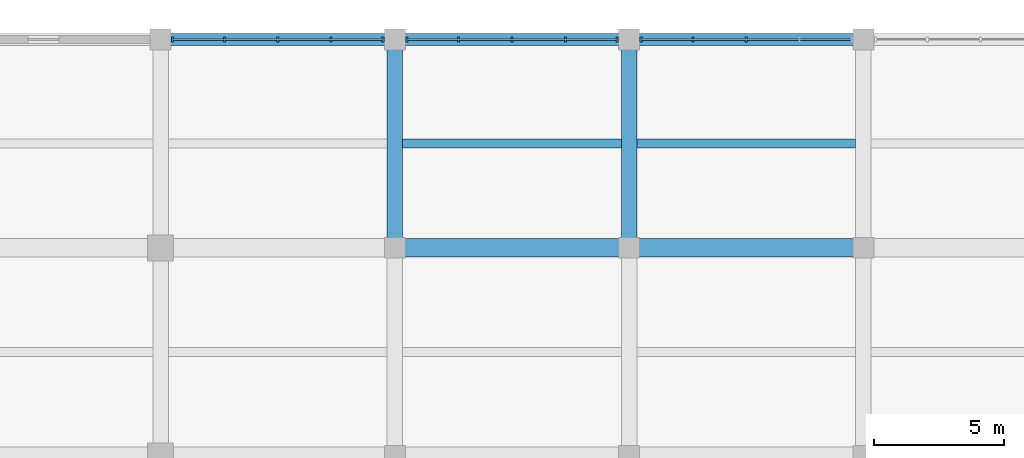
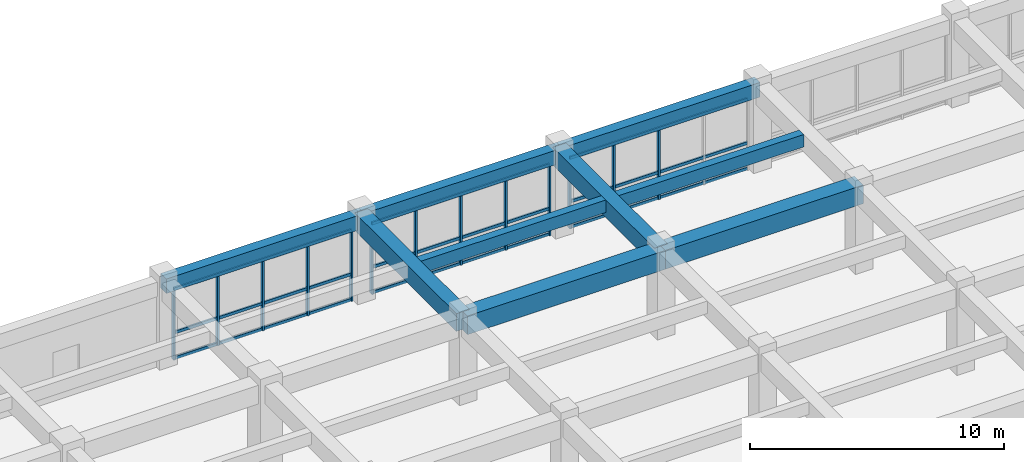
# One storey, part 16 of 50: 22 members, 9 beams, 3 elements without a shape of their own.
"""IFC4 building model written with IfcOpenShell, lengths in metres."""

from ifc_helpers import new_model, si_unit, direction, frame, origin, origin_2d, place, context, subcontext, project, spatial, rectangle, extrude, material, material_profile, profile_set, type_object, element, aggregate, save


model = new_model("IFC4")

# Units and contexts
model_context = context("Model", 3, precision=1e-05, world=origin(), true_north=direction((0.0, 1.0)))
body_context = subcontext(model_context, "Body", "Model", "MODEL_VIEW")
ifc_project = project(units=[si_unit("LENGTHUNIT", "METRE"), si_unit("AREAUNIT", "SQUARE_METRE"), si_unit("VOLUMEUNIT", "CUBIC_METRE"), si_unit("PLANEANGLEUNIT", "RADIAN"), si_unit("MASSUNIT", "GRAM", prefix="KILO")], contexts=[model_context])

# Site, building, storey
site_placement = place(None, origin())
site = spatial("IfcSite", under=ifc_project, at=site_placement, CompositionType="ELEMENT")
building_placement = place(site_placement, origin())
building = spatial("IfcBuilding", under=site, at=building_placement, Name="Zaverband Oceanarium and Marine Research Institute", CompositionType="ELEMENT")
storey_placement = place(building_placement, frame((0.0, 0.0, 9.0)))
storey = spatial("IfcBuildingStorey", under=building, at=storey_placement, Name="L02", CompositionType="ELEMENT", Elevation=9.0)

# Beams
ifc_material_1 = material(Name="Concrete C40/50", Category="concrete")
ifc_material_profile_1 = material_profile(ifc_material_1, rectangle(XDim=0.60009765625, YDim=0.85009765625, at=origin_2d()), Name="RC600x850")
ifc_profile_set_1 = profile_set([ifc_material_profile_1], Name="Concrete C40/50")
beam_type_1 = type_object("IfcBeamType", Name="BM-600x850", PredefinedType="BEAM", material=ifc_profile_set_1)
for number, where, z_axis, x_axis, name in (
    (1, (81.0, 112.0, 3.715087890625), (0.0, 1.0, 0.0), (-1.0, 0.0, 0.0), "Primary floor girder BM-600x850"),
    (2, (90.0, 112.0, 3.715087890625), (0.0, 1.0, 0.0), (-1.0, 0.0, 0.0), "Primary floor girder BM-600x850"),
):
    element("IfcBeam", number, at=place(storey_placement, frame(where, z_axis=z_axis, x_axis=x_axis)), inside=storey, type_object=beam_type_1, Name=name, PredefinedType="BEAM", context=body_context, shape_type="SweptSolid", body=[
        extrude(rectangle(XDim=0.60009765625, YDim=0.85009765625, at=origin_2d()), origin(), (0.0, 0.0, 1.0), 8.0),
    ])
ifc_material_profile_2 = material_profile(ifc_material_1, rectangle(XDim=0.699951171875, YDim=0.89990234375, at=origin_2d()), Name="RC700x900")
ifc_profile_set_2 = profile_set([ifc_material_profile_2], Name="Concrete C40/50")
beam_type_2 = type_object("IfcBeamType", Name="BM-700x900", PredefinedType="BEAM", material=ifc_profile_set_2)
for number, where, z_axis, x_axis, name in (
    (3, (81.0, 112.0, 3.68994140625), (1.0, 0.0, 0.0), (0.0, 1.0, 0.0), "Primary floor girder BM-700x900"),
    (4, (90.0, 112.0, 3.68994140625), (1.0, 0.0, 0.0), (0.0, 1.0, 0.0), "Primary floor girder BM-700x900"),
):
    element("IfcBeam", number, at=place(storey_placement, frame(where, z_axis=z_axis, x_axis=x_axis)), inside=storey, type_object=beam_type_2, Name=name, PredefinedType="BEAM", context=body_context, shape_type="SweptSolid", body=[
        extrude(rectangle(XDim=0.699951171875, YDim=0.89990234375, at=origin_2d()), origin(), (0.0, 0.0, 1.0), 9.0),
    ])
ifc_material_profile_3 = material_profile(ifc_material_1, rectangle(XDim=0.35009765625, YDim=0.60009765625, at=origin_2d()), Name="RC350x600")
ifc_profile_set_3 = profile_set([ifc_material_profile_3], Name="Concrete C40/50")
beam_type_3 = type_object("IfcBeamType", Name="JST-350x600", PredefinedType="JOIST", material=ifc_profile_set_3)
for number, where, z_axis, x_axis, name in (
    (5, (81.300048828125, 116.0, 3.840087890625), (1.0, 0.0, 0.0), (0.0, 1.0, 0.0), "Secondary floor joist JST-350x600"),
    (6, (90.300048828125, 116.0, 3.840087890625), (1.0, 0.0, 0.0), (0.0, 1.0, 0.0), "Secondary floor joist JST-350x600"),
):
    element("IfcBeam", number, at=place(storey_placement, frame(where, z_axis=z_axis, x_axis=x_axis)), inside=storey, type_object=beam_type_3, Name=name, PredefinedType="JOIST", context=body_context, shape_type="SweptSolid", body=[
        extrude(rectangle(XDim=0.35009765625, YDim=0.60009765625, at=origin_2d()), origin(), (0.0, 0.0, 1.0), 8.39990234375),
    ])

# Curtain wall, members
ifc_material_2 = material(Name="Thermally broken anodized aluminium and solar-control glass", Category="aluminium")
curtain_wall_type = type_object("IfcCurtainWallType", Name="CW-UNIT-1800", PredefinedType="NOTDEFINED", material=ifc_material_2)
curtain_wall_1_placement = place(storey_placement, origin())
curtain_wall_1 = element("IfcCurtainWall", 7, at=curtain_wall_1_placement, inside=storey, type_object=curtain_wall_type, Name="Unitised glazed curtain wall CW-046", PredefinedType="NOTDEFINED")
ifc_material_3 = material(Name="Thermally broken anodized aluminium", Category="aluminium")
ifc_material_profile_4 = material_profile(ifc_material_3, rectangle(XDim=0.080078125, YDim=0.179931640625, at=origin_2d()), Name="AL-MUL-80x180")
ifc_profile_set_4 = profile_set([ifc_material_profile_4], Name="Thermally broken anodized aluminium")
member_type_1 = type_object("IfcMemberType", Name="MUL-80x180", PredefinedType="MULLION", material=ifc_profile_set_4)
member_1_placement = place(storey_placement, frame((72.465087890625, 120.0, 0.0), z_axis=(0.0, 0.0, 1.0), x_axis=(1.0, 0.0, 0.0)))
member_1 = element("IfcMember", 8, at=member_1_placement, type_object=member_type_1, Name="Curtain wall vertical mullion MUL-80x180", PredefinedType="MULLION", context=body_context, shape_type="SweptSolid", body=[
    extrude(rectangle(XDim=0.080078125, YDim=0.179931640625, at=origin_2d()), origin(), (0.0, 0.0, 1.0), 3.419921875),
])
member_2_placement = place(storey_placement, frame((74.452392578125, 120.0, 0.0), z_axis=(0.0, 0.0, 1.0), x_axis=(1.0, 0.0, 0.0)))
member_2 = element("IfcMember", 9, at=member_2_placement, type_object=member_type_1, Name="Curtain wall vertical mullion MUL-80x180", PredefinedType="MULLION", context=body_context, shape_type="SweptSolid", body=[
    extrude(rectangle(XDim=0.080078125, YDim=0.179931640625, at=origin_2d()), origin(), (0.0, 0.0, 1.0), 3.419921875),
])
member_3_placement = place(storey_placement, frame((76.5, 120.0, 0.0), z_axis=(0.0, 0.0, 1.0), x_axis=(1.0, 0.0, 0.0)))
member_3 = element("IfcMember", 10, at=member_3_placement, type_object=member_type_1, Name="Curtain wall vertical mullion MUL-80x180", PredefinedType="MULLION", context=body_context, shape_type="SweptSolid", body=[
    extrude(rectangle(XDim=0.080078125, YDim=0.179931640625, at=origin_2d()), origin(), (0.0, 0.0, 1.0), 3.419921875),
])
member_4_placement = place(storey_placement, frame((78.547607421875, 120.0, 0.0), z_axis=(0.0, 0.0, 1.0), x_axis=(1.0, 0.0, 0.0)))
member_4 = element("IfcMember", 11, at=member_4_placement, type_object=member_type_1, Name="Curtain wall vertical mullion MUL-80x180", PredefinedType="MULLION", context=body_context, shape_type="SweptSolid", body=[
    extrude(rectangle(XDim=0.080078125, YDim=0.179931640625, at=origin_2d()), origin(), (0.0, 0.0, 1.0), 3.419921875),
])
member_5_placement = place(storey_placement, frame((80.534912109375, 120.0, 0.0), z_axis=(0.0, 0.0, 1.0), x_axis=(1.0, 0.0, 0.0)))
member_5 = element("IfcMember", 12, at=member_5_placement, type_object=member_type_1, Name="Curtain wall vertical mullion MUL-80x180", PredefinedType="MULLION", context=body_context, shape_type="SweptSolid", body=[
    extrude(rectangle(XDim=0.080078125, YDim=0.179931640625, at=origin_2d()), origin(), (0.0, 0.0, 1.0), 3.419921875),
])

curtain_wall_2_placement = place(storey_placement, origin())
curtain_wall_2 = element("IfcCurtainWall", 13, at=curtain_wall_2_placement, inside=storey, type_object=curtain_wall_type, Name="Unitised glazed curtain wall CW-047", PredefinedType="NOTDEFINED")
member_6_placement = place(storey_placement, frame((81.465087890625, 120.0, 0.0), z_axis=(0.0, 0.0, 1.0), x_axis=(1.0, 0.0, 0.0)))
member_6 = element("IfcMember", 14, at=member_6_placement, type_object=member_type_1, Name="Curtain wall vertical mullion MUL-80x180", PredefinedType="MULLION", context=body_context, shape_type="SweptSolid", body=[
    extrude(rectangle(XDim=0.080078125, YDim=0.179931640625, at=origin_2d()), origin(), (0.0, 0.0, 1.0), 3.419921875),
])
member_7_placement = place(storey_placement, frame((83.452392578125, 120.0, 0.0), z_axis=(0.0, 0.0, 1.0), x_axis=(1.0, 0.0, 0.0)))
member_7 = element("IfcMember", 15, at=member_7_placement, type_object=member_type_1, Name="Curtain wall vertical mullion MUL-80x180", PredefinedType="MULLION", context=body_context, shape_type="SweptSolid", body=[
    extrude(rectangle(XDim=0.080078125, YDim=0.179931640625, at=origin_2d()), origin(), (0.0, 0.0, 1.0), 3.419921875),
])
member_8_placement = place(storey_placement, frame((85.5, 120.0, 0.0), z_axis=(0.0, 0.0, 1.0), x_axis=(1.0, 0.0, 0.0)))
member_8 = element("IfcMember", 16, at=member_8_placement, type_object=member_type_1, Name="Curtain wall vertical mullion MUL-80x180", PredefinedType="MULLION", context=body_context, shape_type="SweptSolid", body=[
    extrude(rectangle(XDim=0.080078125, YDim=0.179931640625, at=origin_2d()), origin(), (0.0, 0.0, 1.0), 3.419921875),
])
member_9_placement = place(storey_placement, frame((87.547607421875, 120.0, 0.0), z_axis=(0.0, 0.0, 1.0), x_axis=(1.0, 0.0, 0.0)))
member_9 = element("IfcMember", 17, at=member_9_placement, type_object=member_type_1, Name="Curtain wall vertical mullion MUL-80x180", PredefinedType="MULLION", context=body_context, shape_type="SweptSolid", body=[
    extrude(rectangle(XDim=0.080078125, YDim=0.179931640625, at=origin_2d()), origin(), (0.0, 0.0, 1.0), 3.419921875),
])
member_10_placement = place(storey_placement, frame((89.534912109375, 120.0, 0.0), z_axis=(0.0, 0.0, 1.0), x_axis=(1.0, 0.0, 0.0)))
member_10 = element("IfcMember", 18, at=member_10_placement, type_object=member_type_1, Name="Curtain wall vertical mullion MUL-80x180", PredefinedType="MULLION", context=body_context, shape_type="SweptSolid", body=[
    extrude(rectangle(XDim=0.080078125, YDim=0.179931640625, at=origin_2d()), origin(), (0.0, 0.0, 1.0), 3.419921875),
])

curtain_wall_3_placement = place(storey_placement, origin())
curtain_wall_3 = element("IfcCurtainWall", 19, at=curtain_wall_3_placement, inside=storey, type_object=curtain_wall_type, Name="Unitised glazed curtain wall CW-048", PredefinedType="NOTDEFINED")
member_11_placement = place(storey_placement, frame((90.465087890625, 120.0, 0.0), z_axis=(0.0, 0.0, 1.0), x_axis=(1.0, 0.0, 0.0)))
member_11 = element("IfcMember", 20, at=member_11_placement, type_object=member_type_1, Name="Curtain wall vertical mullion MUL-80x180", PredefinedType="MULLION", context=body_context, shape_type="SweptSolid", body=[
    extrude(rectangle(XDim=0.080078125, YDim=0.179931640625, at=origin_2d()), origin(), (0.0, 0.0, 1.0), 3.419921875),
])
member_12_placement = place(storey_placement, frame((92.452392578125, 120.0, 0.0), z_axis=(0.0, 0.0, 1.0), x_axis=(1.0, 0.0, 0.0)))
member_12 = element("IfcMember", 21, at=member_12_placement, type_object=member_type_1, Name="Curtain wall vertical mullion MUL-80x180", PredefinedType="MULLION", context=body_context, shape_type="SweptSolid", body=[
    extrude(rectangle(XDim=0.080078125, YDim=0.179931640625, at=origin_2d()), origin(), (0.0, 0.0, 1.0), 3.419921875),
])
member_13_placement = place(storey_placement, frame((94.5, 120.0, 0.0), z_axis=(0.0, 0.0, 1.0), x_axis=(1.0, 0.0, 0.0)))
member_13 = element("IfcMember", 22, at=member_13_placement, type_object=member_type_1, Name="Curtain wall vertical mullion MUL-80x180", PredefinedType="MULLION", context=body_context, shape_type="SweptSolid", body=[
    extrude(rectangle(XDim=0.080078125, YDim=0.179931640625, at=origin_2d()), origin(), (0.0, 0.0, 1.0), 3.419921875),
])

# Beams
ifc_material_profile_5 = material_profile(ifc_material_1, rectangle(XDim=0.449951171875, YDim=0.699951171875, at=origin_2d()), Name="RC450x700")
ifc_profile_set_5 = profile_set([ifc_material_profile_5], Name="Concrete C40/50")
beam_type_4 = type_object("IfcBeamType", Name="SPN-450x700", PredefinedType="SPANDREL", material=ifc_profile_set_5)
for number, where, z_axis, x_axis, name in (
    (23, (72.0, 120.0, 3.7900390625), (1.0, 0.0, 0.0), (0.0, 1.0, 0.0), "Perimeter spandrel beam SPN-450x700"),
    (24, (81.0, 120.0, 3.7900390625), (1.0, 0.0, 0.0), (0.0, 1.0, 0.0), "Perimeter spandrel beam SPN-450x700"),
    (25, (90.0, 120.0, 3.7900390625), (1.0, 0.0, 0.0), (0.0, 1.0, 0.0), "Perimeter spandrel beam SPN-450x700"),
):
    element("IfcBeam", number, at=place(storey_placement, frame(where, z_axis=z_axis, x_axis=x_axis)), inside=storey, type_object=beam_type_4, Name=name, PredefinedType="SPANDREL", context=body_context, shape_type="SweptSolid", body=[
        extrude(rectangle(XDim=0.449951171875, YDim=0.699951171875, at=origin_2d()), origin(), (0.0, 0.0, 1.0), 9.0),
    ])

# Member
ifc_material_profile_6 = material_profile(ifc_material_3, rectangle(XDim=0.080078125, YDim=0.139892578125, at=origin_2d()), Name="AL-TRN-80x140")
ifc_profile_set_6 = profile_set([ifc_material_profile_6], Name="Thermally broken anodized aluminium")
member_type_2 = type_object("IfcMemberType", Name="TRN-80x140", PredefinedType="USERDEFINED", material=ifc_profile_set_6)
member_14_placement = place(storey_placement, frame((72.465087890625, 120.0, 0.050048828125), z_axis=(1.0, 0.0, 0.0), x_axis=(0.0, 1.0, 0.0)))
member_14 = element("IfcMember", 26, at=member_14_placement, type_object=member_type_2, Name="Curtain wall horizontal transom TRN-80x140", ObjectType="TRANSOM", PredefinedType="USERDEFINED", context=body_context, shape_type="SweptSolid", body=[
    extrude(rectangle(XDim=0.080078125, YDim=0.139892578125, at=origin_2d()), origin(), (0.0, 0.0, 1.0), 8.06982421875),
])

member_15_placement = place(storey_placement, frame((72.465087890625, 120.0, 1.277099609375), z_axis=(1.0, 0.0, 0.0), x_axis=(0.0, 1.0, 0.0)))
member_15 = element("IfcMember", 27, at=member_15_placement, type_object=member_type_2, Name="Curtain wall horizontal transom TRN-80x140", ObjectType="TRANSOM", PredefinedType="USERDEFINED", context=body_context, shape_type="SweptSolid", body=[
    extrude(rectangle(XDim=0.080078125, YDim=0.139892578125, at=origin_2d()), origin(), (0.0, 0.0, 1.0), 8.06982421875),
])

member_16_placement = place(storey_placement, frame((72.465087890625, 120.0, 3.3701171875), z_axis=(1.0, 0.0, 0.0), x_axis=(0.0, 1.0, 0.0)))
member_16 = element("IfcMember", 28, at=member_16_placement, type_object=member_type_2, Name="Curtain wall horizontal transom TRN-80x140", ObjectType="TRANSOM", PredefinedType="USERDEFINED", context=body_context, shape_type="SweptSolid", body=[
    extrude(rectangle(XDim=0.080078125, YDim=0.139892578125, at=origin_2d()), origin(), (0.0, 0.0, 1.0), 8.06982421875),
])

aggregate(curtain_wall_1, [member_1, member_2, member_3, member_4, member_5, member_14, member_15, member_16])

member_17_placement = place(storey_placement, frame((81.465087890625, 120.0, 0.050048828125), z_axis=(1.0, 0.0, 0.0), x_axis=(0.0, 1.0, 0.0)))
member_17 = element("IfcMember", 29, at=member_17_placement, type_object=member_type_2, Name="Curtain wall horizontal transom TRN-80x140", ObjectType="TRANSOM", PredefinedType="USERDEFINED", context=body_context, shape_type="SweptSolid", body=[
    extrude(rectangle(XDim=0.080078125, YDim=0.139892578125, at=origin_2d()), origin(), (0.0, 0.0, 1.0), 8.06982421875),
])

member_18_placement = place(storey_placement, frame((81.465087890625, 120.0, 1.277099609375), z_axis=(1.0, 0.0, 0.0), x_axis=(0.0, 1.0, 0.0)))
member_18 = element("IfcMember", 30, at=member_18_placement, type_object=member_type_2, Name="Curtain wall horizontal transom TRN-80x140", ObjectType="TRANSOM", PredefinedType="USERDEFINED", context=body_context, shape_type="SweptSolid", body=[
    extrude(rectangle(XDim=0.080078125, YDim=0.139892578125, at=origin_2d()), origin(), (0.0, 0.0, 1.0), 8.06982421875),
])

member_19_placement = place(storey_placement, frame((81.465087890625, 120.0, 3.3701171875), z_axis=(1.0, 0.0, 0.0), x_axis=(0.0, 1.0, 0.0)))
member_19 = element("IfcMember", 31, at=member_19_placement, type_object=member_type_2, Name="Curtain wall horizontal transom TRN-80x140", ObjectType="TRANSOM", PredefinedType="USERDEFINED", context=body_context, shape_type="SweptSolid", body=[
    extrude(rectangle(XDim=0.080078125, YDim=0.139892578125, at=origin_2d()), origin(), (0.0, 0.0, 1.0), 8.06982421875),
])

aggregate(curtain_wall_2, [member_6, member_7, member_8, member_9, member_10, member_17, member_18, member_19])

member_20_placement = place(storey_placement, frame((90.465087890625, 120.0, 0.050048828125), z_axis=(1.0, 0.0, 0.0), x_axis=(0.0, 1.0, 0.0)))
member_20 = element("IfcMember", 32, at=member_20_placement, type_object=member_type_2, Name="Curtain wall horizontal transom TRN-80x140", ObjectType="TRANSOM", PredefinedType="USERDEFINED", context=body_context, shape_type="SweptSolid", body=[
    extrude(rectangle(XDim=0.080078125, YDim=0.139892578125, at=origin_2d()), origin(), (0.0, 0.0, 1.0), 8.06982421875),
])

member_21_placement = place(storey_placement, frame((90.465087890625, 120.0, 1.277099609375), z_axis=(1.0, 0.0, 0.0), x_axis=(0.0, 1.0, 0.0)))
member_21 = element("IfcMember", 33, at=member_21_placement, type_object=member_type_2, Name="Curtain wall horizontal transom TRN-80x140", ObjectType="TRANSOM", PredefinedType="USERDEFINED", context=body_context, shape_type="SweptSolid", body=[
    extrude(rectangle(XDim=0.080078125, YDim=0.139892578125, at=origin_2d()), origin(), (0.0, 0.0, 1.0), 8.06982421875),
])

member_22_placement = place(storey_placement, frame((90.465087890625, 120.0, 3.3701171875), z_axis=(1.0, 0.0, 0.0), x_axis=(0.0, 1.0, 0.0)))
member_22 = element("IfcMember", 34, at=member_22_placement, type_object=member_type_2, Name="Curtain wall horizontal transom TRN-80x140", ObjectType="TRANSOM", PredefinedType="USERDEFINED", context=body_context, shape_type="SweptSolid", body=[
    extrude(rectangle(XDim=0.080078125, YDim=0.139892578125, at=origin_2d()), origin(), (0.0, 0.0, 1.0), 8.06982421875),
])

aggregate(curtain_wall_3, [member_11, member_12, member_13, member_20, member_21, member_22])

save(model, "model.ifc")
